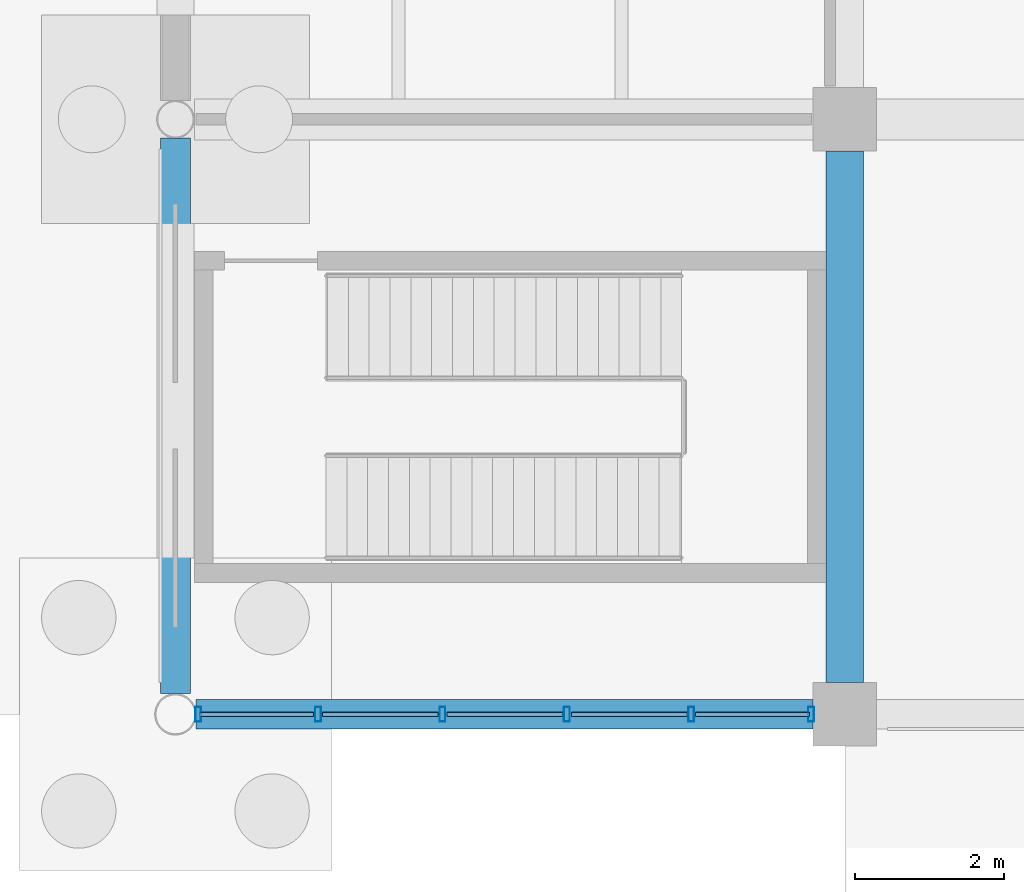
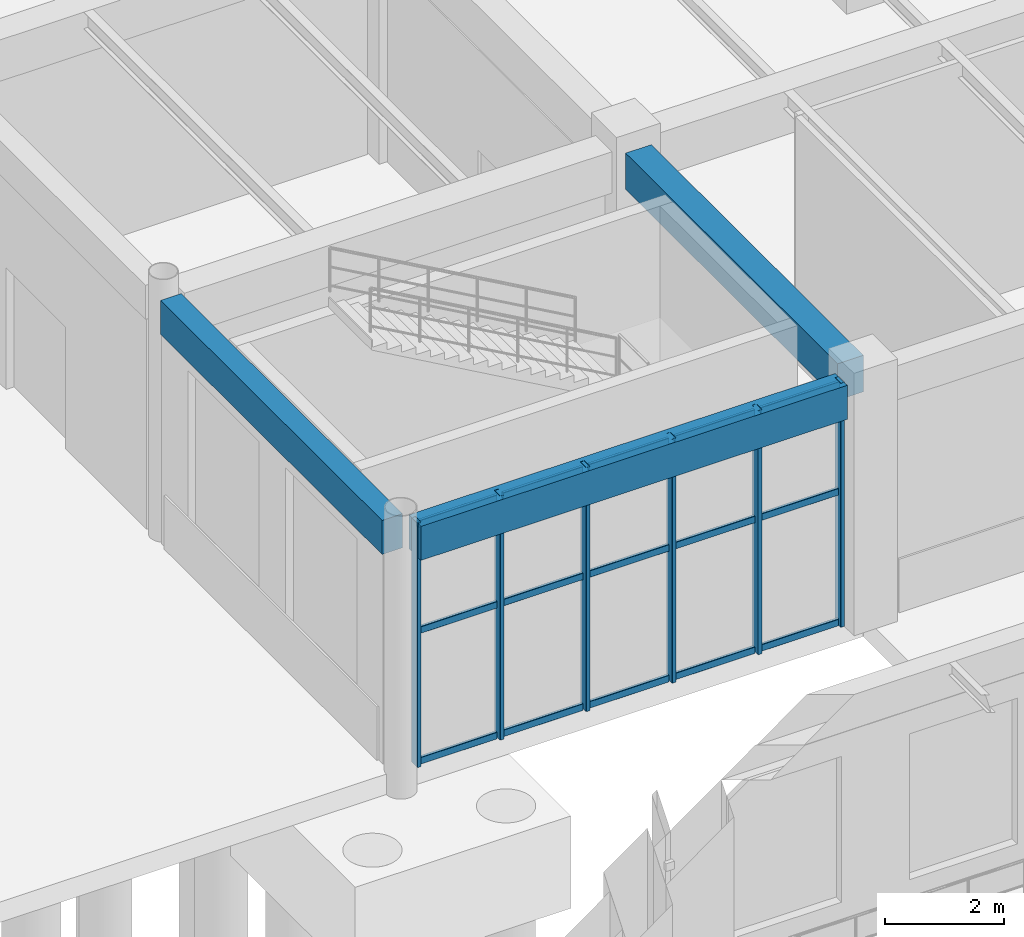
# One storey, part 20 of 121: 21 members, 3 beams, 1 element without a shape of its own.
"""IFC4 building model written with IfcOpenShell, lengths in metres."""

from ifc_helpers import new_model, si_unit, derived_unit, direction, frame, origin, origin_2d, place, context, subcontext, project, spatial, rectangle, hollow_rectangle, extrude, material, material_profile, profile_set, type_object, element, aggregate, save


model = new_model("IFC4")

# Units and contexts
model_context = context("Model", 3, precision=1e-05, world=origin(), true_north=direction((0.0, 1.0)))
body_context = subcontext(model_context, "Body", "Model", "MODEL_VIEW")
ifc_project = project(units=[si_unit("LENGTHUNIT", "METRE"), si_unit("AREAUNIT", "SQUARE_METRE"), si_unit("VOLUMEUNIT", "CUBIC_METRE"), si_unit("PLANEANGLEUNIT", "RADIAN"), si_unit("MASSUNIT", "GRAM", prefix="KILO"), derived_unit("THERMALTRANSMITTANCEUNIT", [(si_unit("MASSUNIT", "GRAM", prefix="KILO"), 1), (si_unit("TIMEUNIT", "SECOND"), -3), (si_unit("THERMODYNAMICTEMPERATUREUNIT", "KELVIN"), -1)])], contexts=[model_context])

# Site, building, storey
site_placement = place(None, origin())
site = spatial("IfcSite", under=ifc_project, at=site_placement, CompositionType="ELEMENT")
building_placement = place(site_placement, origin())
building = spatial("IfcBuilding", under=site, at=building_placement, Name="Zhenchuan Archway Interchange", CompositionType="ELEMENT")
storey_placement = place(building_placement, origin())
storey = spatial("IfcBuildingStorey", under=building, at=storey_placement, Name="L00", CompositionType="ELEMENT", Elevation=0.0)

# Beam
ifc_material_1 = material(Name="Concrete C40", Category="concrete")
ifc_material_profile_1 = material_profile(ifc_material_1, rectangle(XDim=0.5, YDim=0.75, at=origin_2d()), Name="RC 500x750")
ifc_profile_set_1 = profile_set([ifc_material_profile_1], Name="Concrete C40")
beam_type_1 = type_object("IfcBeamType", Name="BM_RC_500x750", PredefinedType="BEAM", material=ifc_profile_set_1)
beam_1_placement = place(storey_placement, frame((27.0, 24.425048828125, 4.64501953125), z_axis=(0.0, 1.0, 0.0), x_axis=(-1.0, 0.0, 0.0)))
element("IfcBeam", 1, at=beam_1_placement, inside=storey, type_object=beam_type_1, Name="Beam 4:D-E (L00)", PredefinedType="BEAM", context=body_context, shape_type="SweptSolid", body=[
    extrude(rectangle(XDim=0.5, YDim=0.75, at=origin_2d()), origin(), (0.0, 0.0, 1.0), 7.14990234375),
])

# Curtain wall, members
ifc_material_2 = material(Name="Anodised Aluminium", Category="aluminium")
curtain_wall_type = type_object("IfcCurtainWallType", Name="CW_UNIT_2", PredefinedType="NOTDEFINED", material=ifc_material_2)
curtain_wall_placement = place(storey_placement, origin())
curtain_wall = element("IfcCurtainWall", 2, at=curtain_wall_placement, inside=storey, type_object=curtain_wall_type, Name="Unitised curtain wall CW:L00:001", PredefinedType="NOTDEFINED")
ifc_material_profile_2 = material_profile(ifc_material_2, hollow_rectangle(XDim=0.080078125, YDim=0.199951171875, WallThickness=0.00439453125, InnerFilletRadius=0.00439453125, OuterFilletRadius=0.009033203125, at=origin_2d()), Name="ALU 200x80x4.5")
ifc_profile_set_2 = profile_set([ifc_material_profile_2], Name="Anodised Aluminium")
member_type_1 = type_object("IfcMemberType", Name="CW_MUL_200", PredefinedType="MULLION", material=ifc_profile_set_2)
member_1_placement = place(storey_placement, frame((26.547119140625, 24.0, 0.0), z_axis=(0.0, 0.0, 1.0), x_axis=(1.0, 0.0, 0.0)))
member_1 = element("IfcMember", 3, at=member_1_placement, type_object=member_type_1, Name="CW:L00:001 mullion 0", PredefinedType="MULLION", context=body_context, shape_type="SweptSolid", body=[
    extrude(hollow_rectangle(XDim=0.080078125, YDim=0.199951171875, WallThickness=0.00439453125, InnerFilletRadius=0.00439453125, OuterFilletRadius=0.009033203125, at=origin_2d()), origin(), (0.0, 0.0, 1.0), 5.02001953125),
])
member_2_placement = place(storey_placement, frame((24.934814453125, 24.0, 0.0), z_axis=(0.0, 0.0, 1.0), x_axis=(1.0, 0.0, 0.0)))
member_2 = element("IfcMember", 4, at=member_2_placement, type_object=member_type_1, Name="CW:L00:001 mullion 1", PredefinedType="MULLION", context=body_context, shape_type="SweptSolid", body=[
    extrude(hollow_rectangle(XDim=0.080078125, YDim=0.199951171875, WallThickness=0.00439453125, InnerFilletRadius=0.00439453125, OuterFilletRadius=0.009033203125, at=origin_2d()), origin(), (0.0, 0.0, 1.0), 5.02001953125),
])
member_3_placement = place(storey_placement, frame((23.2626953125, 24.0, 0.0), z_axis=(0.0, 0.0, 1.0), x_axis=(1.0, 0.0, 0.0)))
member_3 = element("IfcMember", 5, at=member_3_placement, type_object=member_type_1, Name="CW:L00:001 mullion 2", PredefinedType="MULLION", context=body_context, shape_type="SweptSolid", body=[
    extrude(hollow_rectangle(XDim=0.080078125, YDim=0.199951171875, WallThickness=0.00439453125, InnerFilletRadius=0.00439453125, OuterFilletRadius=0.009033203125, at=origin_2d()), origin(), (0.0, 0.0, 1.0), 5.02001953125),
])
member_4_placement = place(storey_placement, frame((21.5908203125, 24.0, 0.0), z_axis=(0.0, 0.0, 1.0), x_axis=(1.0, 0.0, 0.0)))
member_4 = element("IfcMember", 6, at=member_4_placement, type_object=member_type_1, Name="CW:L00:001 mullion 3", PredefinedType="MULLION", context=body_context, shape_type="SweptSolid", body=[
    extrude(hollow_rectangle(XDim=0.080078125, YDim=0.199951171875, WallThickness=0.00439453125, InnerFilletRadius=0.00439453125, OuterFilletRadius=0.009033203125, at=origin_2d()), origin(), (0.0, 0.0, 1.0), 5.02001953125),
])
member_5_placement = place(storey_placement, frame((19.918701171875, 24.0, 0.0), z_axis=(0.0, 0.0, 1.0), x_axis=(1.0, 0.0, 0.0)))
member_5 = element("IfcMember", 7, at=member_5_placement, type_object=member_type_1, Name="CW:L00:001 mullion 4", PredefinedType="MULLION", context=body_context, shape_type="SweptSolid", body=[
    extrude(hollow_rectangle(XDim=0.080078125, YDim=0.199951171875, WallThickness=0.00439453125, InnerFilletRadius=0.00439453125, OuterFilletRadius=0.009033203125, at=origin_2d()), origin(), (0.0, 0.0, 1.0), 5.02001953125),
])
member_6_placement = place(storey_placement, frame((18.306396484375, 24.0, 0.0), z_axis=(0.0, 0.0, 1.0), x_axis=(1.0, 0.0, 0.0)))
member_6 = element("IfcMember", 8, at=member_6_placement, type_object=member_type_1, Name="CW:L00:001 mullion 5", PredefinedType="MULLION", context=body_context, shape_type="SweptSolid", body=[
    extrude(hollow_rectangle(XDim=0.080078125, YDim=0.199951171875, WallThickness=0.00439453125, InnerFilletRadius=0.00439453125, OuterFilletRadius=0.009033203125, at=origin_2d()), origin(), (0.0, 0.0, 1.0), 5.02001953125),
])
ifc_material_profile_3 = material_profile(ifc_material_2, hollow_rectangle(XDim=0.06005859375, YDim=0.139892578125, WallThickness=0.00341796875, InnerFilletRadius=0.00341796875, OuterFilletRadius=0.007080078125, at=origin_2d()), Name="ALU 140x60x3.5")
ifc_profile_set_3 = profile_set([ifc_material_profile_3], Name="Anodised Aluminium")
member_type_2 = type_object("IfcMemberType", Name="CW_TRN_140", PredefinedType="USERDEFINED", material=ifc_profile_set_3)
member_7_placement = place(storey_placement, frame((26.527099609375, 24.0, 0.06005859375), z_axis=(-1.0, 0.0, 0.0), x_axis=(0.0, -1.0, 0.0)))
member_7 = element("IfcMember", 9, at=member_7_placement, type_object=member_type_2, Name="CW:L00:001 transom 0-1", ObjectType="TRANSOM", PredefinedType="USERDEFINED", context=body_context, shape_type="SweptSolid", body=[
    extrude(hollow_rectangle(XDim=0.06005859375, YDim=0.139892578125, WallThickness=0.00341796875, InnerFilletRadius=0.00341796875, OuterFilletRadius=0.007080078125, at=origin_2d()), origin(), (0.0, 0.0, 1.0), 1.5322265625),
])
member_8_placement = place(storey_placement, frame((26.527099609375, 24.0, 2.75), z_axis=(-1.0, 0.0, 0.0), x_axis=(0.0, -1.0, 0.0)))
member_8 = element("IfcMember", 10, at=member_8_placement, type_object=member_type_2, Name="CW:L00:001 transom 0-2", ObjectType="TRANSOM", PredefinedType="USERDEFINED", context=body_context, shape_type="SweptSolid", body=[
    extrude(hollow_rectangle(XDim=0.06005859375, YDim=0.139892578125, WallThickness=0.00341796875, InnerFilletRadius=0.00341796875, OuterFilletRadius=0.007080078125, at=origin_2d()), origin(), (0.0, 0.0, 1.0), 1.5322265625),
])
member_9_placement = place(storey_placement, frame((26.527099609375, 24.0, 4.93994140625), z_axis=(-1.0, 0.0, 0.0), x_axis=(0.0, -1.0, 0.0)))
member_9 = element("IfcMember", 11, at=member_9_placement, type_object=member_type_2, Name="CW:L00:001 transom 0-3", ObjectType="TRANSOM", PredefinedType="USERDEFINED", context=body_context, shape_type="SweptSolid", body=[
    extrude(hollow_rectangle(XDim=0.06005859375, YDim=0.139892578125, WallThickness=0.00341796875, InnerFilletRadius=0.00341796875, OuterFilletRadius=0.007080078125, at=origin_2d()), origin(), (0.0, 0.0, 1.0), 1.5322265625),
])
member_10_placement = place(storey_placement, frame((24.875, 24.0, 0.06005859375), z_axis=(-1.0, 0.0, 0.0), x_axis=(0.0, -1.0, 0.0)))
member_10 = element("IfcMember", 12, at=member_10_placement, type_object=member_type_2, Name="CW:L00:001 transom 1-1", ObjectType="TRANSOM", PredefinedType="USERDEFINED", context=body_context, shape_type="SweptSolid", body=[
    extrude(hollow_rectangle(XDim=0.06005859375, YDim=0.139892578125, WallThickness=0.00341796875, InnerFilletRadius=0.00341796875, OuterFilletRadius=0.007080078125, at=origin_2d()), origin(), (0.0, 0.0, 1.0), 1.55224609375),
])
member_11_placement = place(storey_placement, frame((24.875, 24.0, 2.75), z_axis=(-1.0, 0.0, 0.0), x_axis=(0.0, -1.0, 0.0)))
member_11 = element("IfcMember", 13, at=member_11_placement, type_object=member_type_2, Name="CW:L00:001 transom 1-2", ObjectType="TRANSOM", PredefinedType="USERDEFINED", context=body_context, shape_type="SweptSolid", body=[
    extrude(hollow_rectangle(XDim=0.06005859375, YDim=0.139892578125, WallThickness=0.00341796875, InnerFilletRadius=0.00341796875, OuterFilletRadius=0.007080078125, at=origin_2d()), origin(), (0.0, 0.0, 1.0), 1.55224609375),
])
member_12_placement = place(storey_placement, frame((24.875, 24.0, 4.93994140625), z_axis=(-1.0, 0.0, 0.0), x_axis=(0.0, -1.0, 0.0)))
member_12 = element("IfcMember", 14, at=member_12_placement, type_object=member_type_2, Name="CW:L00:001 transom 1-3", ObjectType="TRANSOM", PredefinedType="USERDEFINED", context=body_context, shape_type="SweptSolid", body=[
    extrude(hollow_rectangle(XDim=0.06005859375, YDim=0.139892578125, WallThickness=0.00341796875, InnerFilletRadius=0.00341796875, OuterFilletRadius=0.007080078125, at=origin_2d()), origin(), (0.0, 0.0, 1.0), 1.55224609375),
])
member_13_placement = place(storey_placement, frame((23.202880859375, 24.0, 0.06005859375), z_axis=(-1.0, 0.0, 0.0), x_axis=(0.0, -1.0, 0.0)))
member_13 = element("IfcMember", 15, at=member_13_placement, type_object=member_type_2, Name="CW:L00:001 transom 2-1", ObjectType="TRANSOM", PredefinedType="USERDEFINED", context=body_context, shape_type="SweptSolid", body=[
    extrude(hollow_rectangle(XDim=0.06005859375, YDim=0.139892578125, WallThickness=0.00341796875, InnerFilletRadius=0.00341796875, OuterFilletRadius=0.007080078125, at=origin_2d()), origin(), (0.0, 0.0, 1.0), 1.55224609375),
])
member_14_placement = place(storey_placement, frame((23.202880859375, 24.0, 2.75), z_axis=(-1.0, 0.0, 0.0), x_axis=(0.0, -1.0, 0.0)))
member_14 = element("IfcMember", 16, at=member_14_placement, type_object=member_type_2, Name="CW:L00:001 transom 2-2", ObjectType="TRANSOM", PredefinedType="USERDEFINED", context=body_context, shape_type="SweptSolid", body=[
    extrude(hollow_rectangle(XDim=0.06005859375, YDim=0.139892578125, WallThickness=0.00341796875, InnerFilletRadius=0.00341796875, OuterFilletRadius=0.007080078125, at=origin_2d()), origin(), (0.0, 0.0, 1.0), 1.55224609375),
])
member_15_placement = place(storey_placement, frame((23.202880859375, 24.0, 4.93994140625), z_axis=(-1.0, 0.0, 0.0), x_axis=(0.0, -1.0, 0.0)))
member_15 = element("IfcMember", 17, at=member_15_placement, type_object=member_type_2, Name="CW:L00:001 transom 2-3", ObjectType="TRANSOM", PredefinedType="USERDEFINED", context=body_context, shape_type="SweptSolid", body=[
    extrude(hollow_rectangle(XDim=0.06005859375, YDim=0.139892578125, WallThickness=0.00341796875, InnerFilletRadius=0.00341796875, OuterFilletRadius=0.007080078125, at=origin_2d()), origin(), (0.0, 0.0, 1.0), 1.55224609375),
])
member_16_placement = place(storey_placement, frame((21.53076171875, 24.0, 0.06005859375), z_axis=(-1.0, 0.0, 0.0), x_axis=(0.0, -1.0, 0.0)))
member_16 = element("IfcMember", 18, at=member_16_placement, type_object=member_type_2, Name="CW:L00:001 transom 3-1", ObjectType="TRANSOM", PredefinedType="USERDEFINED", context=body_context, shape_type="SweptSolid", body=[
    extrude(hollow_rectangle(XDim=0.06005859375, YDim=0.139892578125, WallThickness=0.00341796875, InnerFilletRadius=0.00341796875, OuterFilletRadius=0.007080078125, at=origin_2d()), origin(), (0.0, 0.0, 1.0), 1.55224609375),
])
member_17_placement = place(storey_placement, frame((21.53076171875, 24.0, 2.75), z_axis=(-1.0, 0.0, 0.0), x_axis=(0.0, -1.0, 0.0)))
member_17 = element("IfcMember", 19, at=member_17_placement, type_object=member_type_2, Name="CW:L00:001 transom 3-2", ObjectType="TRANSOM", PredefinedType="USERDEFINED", context=body_context, shape_type="SweptSolid", body=[
    extrude(hollow_rectangle(XDim=0.06005859375, YDim=0.139892578125, WallThickness=0.00341796875, InnerFilletRadius=0.00341796875, OuterFilletRadius=0.007080078125, at=origin_2d()), origin(), (0.0, 0.0, 1.0), 1.55224609375),
])
member_18_placement = place(storey_placement, frame((21.53076171875, 24.0, 4.93994140625), z_axis=(-1.0, 0.0, 0.0), x_axis=(0.0, -1.0, 0.0)))
member_18 = element("IfcMember", 20, at=member_18_placement, type_object=member_type_2, Name="CW:L00:001 transom 3-3", ObjectType="TRANSOM", PredefinedType="USERDEFINED", context=body_context, shape_type="SweptSolid", body=[
    extrude(hollow_rectangle(XDim=0.06005859375, YDim=0.139892578125, WallThickness=0.00341796875, InnerFilletRadius=0.00341796875, OuterFilletRadius=0.007080078125, at=origin_2d()), origin(), (0.0, 0.0, 1.0), 1.55224609375),
])
member_19_placement = place(storey_placement, frame((19.858642578125, 24.0, 0.06005859375), z_axis=(-1.0, 0.0, 0.0), x_axis=(0.0, -1.0, 0.0)))
member_19 = element("IfcMember", 21, at=member_19_placement, type_object=member_type_2, Name="CW:L00:001 transom 4-1", ObjectType="TRANSOM", PredefinedType="USERDEFINED", context=body_context, shape_type="SweptSolid", body=[
    extrude(hollow_rectangle(XDim=0.06005859375, YDim=0.139892578125, WallThickness=0.00341796875, InnerFilletRadius=0.00341796875, OuterFilletRadius=0.007080078125, at=origin_2d()), origin(), (0.0, 0.0, 1.0), 1.5322265625),
])
member_20_placement = place(storey_placement, frame((19.858642578125, 24.0, 2.75), z_axis=(-1.0, 0.0, 0.0), x_axis=(0.0, -1.0, 0.0)))
member_20 = element("IfcMember", 22, at=member_20_placement, type_object=member_type_2, Name="CW:L00:001 transom 4-2", ObjectType="TRANSOM", PredefinedType="USERDEFINED", context=body_context, shape_type="SweptSolid", body=[
    extrude(hollow_rectangle(XDim=0.06005859375, YDim=0.139892578125, WallThickness=0.00341796875, InnerFilletRadius=0.00341796875, OuterFilletRadius=0.007080078125, at=origin_2d()), origin(), (0.0, 0.0, 1.0), 1.5322265625),
])
member_21_placement = place(storey_placement, frame((19.858642578125, 24.0, 4.93994140625), z_axis=(-1.0, 0.0, 0.0), x_axis=(0.0, -1.0, 0.0)))
member_21 = element("IfcMember", 23, at=member_21_placement, type_object=member_type_2, Name="CW:L00:001 transom 4-3", ObjectType="TRANSOM", PredefinedType="USERDEFINED", context=body_context, shape_type="SweptSolid", body=[
    extrude(hollow_rectangle(XDim=0.06005859375, YDim=0.139892578125, WallThickness=0.00341796875, InnerFilletRadius=0.00341796875, OuterFilletRadius=0.007080078125, at=origin_2d()), origin(), (0.0, 0.0, 1.0), 1.5322265625),
])
aggregate(curtain_wall, [member_1, member_2, member_3, member_4, member_5, member_6, member_7, member_8, member_9, member_10, member_11, member_12, member_13, member_14, member_15, member_16, member_17, member_18, member_19, member_20, member_21])

# Beams
ifc_material_profile_4 = material_profile(ifc_material_1, rectangle(XDim=0.39990234375, YDim=0.699951171875, at=origin_2d()), Name="RC 400x700")
ifc_profile_set_4 = profile_set([ifc_material_profile_4], Name="Concrete C40")
beam_type_2 = type_object("IfcBeamType", Name="SP_RC_400x700", PredefinedType="SPANDREL", material=ifc_profile_set_4)
beam_2_placement = place(storey_placement, frame((18.279541015625, 24.0, 4.669921875), z_axis=(1.0, 0.0, 0.0), x_axis=(0.0, 1.0, 0.0)))
element("IfcBeam", 24, at=beam_2_placement, inside=storey, type_object=beam_type_2, Name="Beam D:3-4 (L00)", PredefinedType="SPANDREL", context=body_context, shape_type="SweptSolid", body=[
    extrude(rectangle(XDim=0.39990234375, YDim=0.699951171875, at=origin_2d()), origin(), (0.0, 0.0, 1.0), 8.29541015625),
])
beam_3_placement = place(storey_placement, frame((18.0, 24.279541015625, 4.669921875), z_axis=(0.0, 1.0, 0.0), x_axis=(-1.0, 0.0, 0.0)))
element("IfcBeam", 25, at=beam_3_placement, inside=storey, type_object=beam_type_2, Name="Beam 3:D-E (L00)", PredefinedType="SPANDREL", context=body_context, shape_type="SweptSolid", body=[
    extrude(rectangle(XDim=0.39990234375, YDim=0.699951171875, at=origin_2d()), origin(), (0.0, 0.0, 1.0), 7.466552734375),
])

save(model, "model.ifc")
